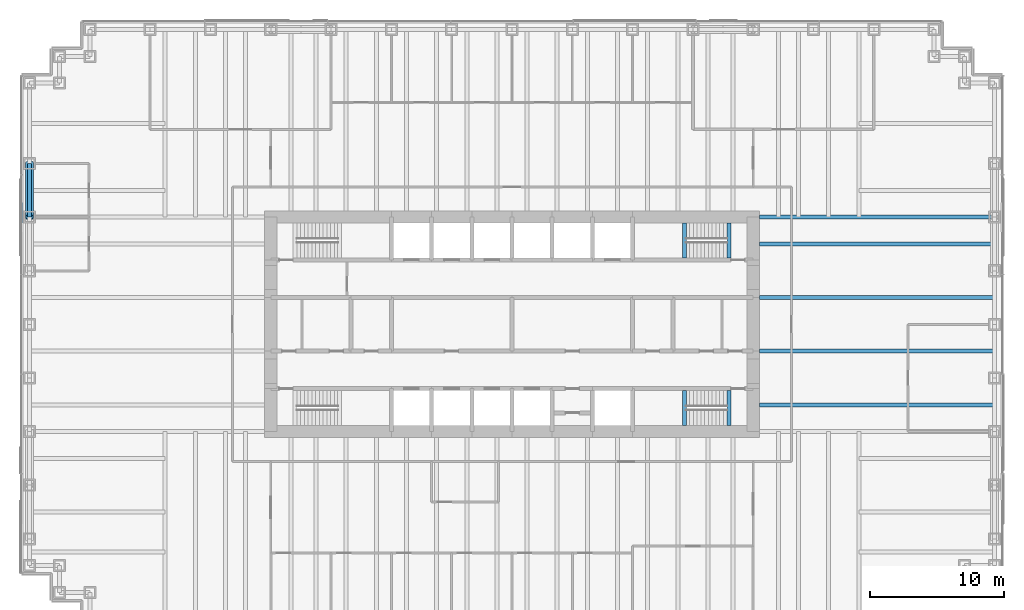
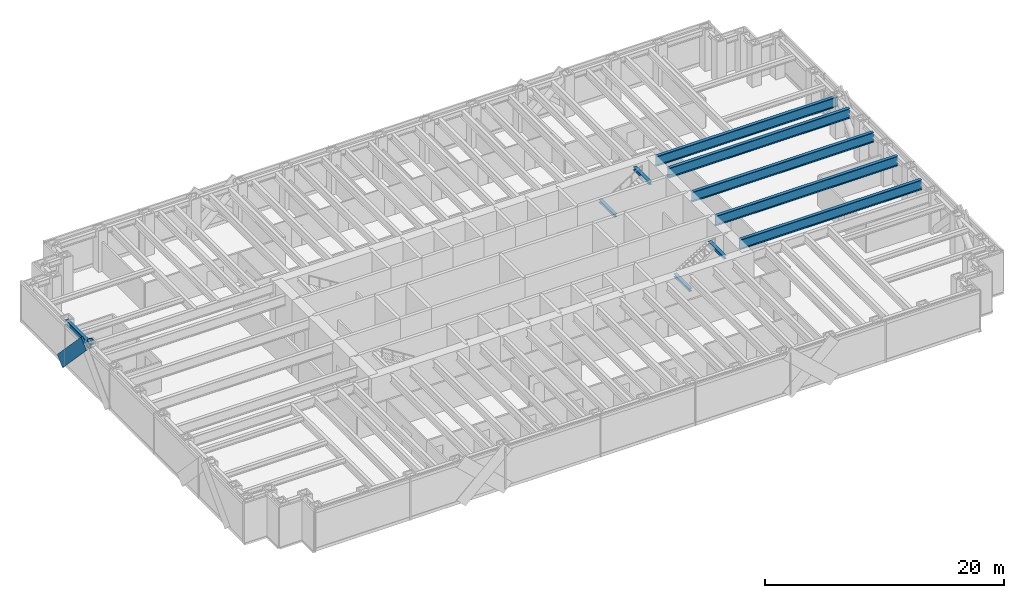
# One storey, part 5 of 15: 10 beams, 2 members, 1 element without a shape of its own.
"""IFC4 building model written with IfcOpenShell, lengths in metres."""

from ifc_helpers import new_model, si_unit, direction, frame, origin, origin_2d, place, context, subcontext, project, spatial, rectangle, hollow_circle, i_section, extrude, material, material_profile, profile_set, type_object, element, aggregate, save


model = new_model("IFC4")

# Units and contexts
model_context = context("Model", 3, precision=1e-05, world=origin(), true_north=direction((0.0, 1.0)))
body_context = subcontext(model_context, "Body", "Model", "MODEL_VIEW")
ifc_project = project(units=[si_unit("LENGTHUNIT", "METRE"), si_unit("AREAUNIT", "SQUARE_METRE"), si_unit("VOLUMEUNIT", "CUBIC_METRE"), si_unit("PLANEANGLEUNIT", "RADIAN"), si_unit("MASSUNIT", "GRAM", prefix="KILO")], contexts=[model_context])

# Site, building, storey
site_placement = place(None, origin())
site = spatial("IfcSite", under=ifc_project, at=site_placement, CompositionType="ELEMENT")
building_placement = place(site_placement, origin())
building = spatial("IfcBuilding", under=site, at=building_placement, Name="Rheinbord Bourse Tower", CompositionType="ELEMENT")
storey_placement = place(building_placement, frame((0.0, 0.0, 108.89990234375)))
storey = spatial("IfcBuildingStorey", under=building, at=storey_placement, Name="L23", CompositionType="ELEMENT", Elevation=108.89990234375)

# Curtain wall, member
ifc_material_1 = material(Name="Dark glass and black aluminium", Category="aluminium")
curtain_wall_type = type_object("IfcCurtainWallType", Name="CW2 DARK GLASS CURTAIN WALL", PredefinedType="USERDEFINED", material=ifc_material_1)
curtain_wall_placement = place(storey_placement, origin())
curtain_wall = element("IfcCurtainWall", 1, at=curtain_wall_placement, inside=storey, type_object=curtain_wall_type, Name="Curtain wall CW2 W L23", ObjectType="UNITISED CURTAIN WALL", PredefinedType="USERDEFINED")
ifc_material_2 = material(Name="Black anodised aluminium", Category="aluminium")
ifc_material_profile_1 = material_profile(ifc_material_2, rectangle(XDim=0.159912109375, YDim=1.2099609375, at=origin_2d()), Name="CW2 DIAGONAL MULLION 1210x160")
ifc_profile_set_1 = profile_set([ifc_material_profile_1], Name="Black anodised aluminium")
member_type_1 = type_object("IfcMemberType", Name="CW2 BLACK DIAGONAL MULLION", PredefinedType="USERDEFINED", material=ifc_profile_set_1)
member_1_placement = place(storey_placement, frame((-0.60009765625, 36.0, 0.0), z_axis=(0.0, -0.689638355374, 0.72415394689), x_axis=(1.0, 0.0, 0.0)))
member_1 = element("IfcMember", 2, at=member_1_placement, type_object=member_type_1, Name="CW2 diagonal mullion c", ObjectType="DIAGONAL MULLION", PredefinedType="USERDEFINED", context=body_context, shape_type="SweptSolid", body=[
    extrude(rectangle(XDim=0.159912109375, YDim=1.2099609375, at=origin_2d()), origin(), (0.0, 0.0, 1.0), 5.800048828125),
])
aggregate(curtain_wall, [member_1])

# Beams
ifc_material_3 = material(Name="Steel S460", Category="steel")
ifc_material_profile_2 = material_profile(ifc_material_3, i_section(OverallWidth=0.302001953125, OverallDepth=1.008056640625, WebThickness=0.02099609375, FlangeThickness=0.0400390625, at=origin_2d()), Name="HEM 1000")
ifc_profile_set_2 = profile_set([ifc_material_profile_2], Name="Steel S460")
beam_type_1 = type_object("IfcBeamType", Name="END BEAM HEM 1000", PredefinedType="BEAM", material=ifc_profile_set_2)
for number, where, z_axis, x_axis, name in (
    (3, (54.449951171875, 18.0, 3.5361328125), (1.0, 0.0, 0.0), (0.0, 1.0, 0.0), "End beam east 18 L24"),
    (4, (54.449951171875, 22.0, 3.5361328125), (1.0, 0.0, 0.0), (0.0, 1.0, 0.0), "End beam east 22 L24"),
    (5, (54.449951171875, 26.0, 3.5361328125), (1.0, 0.0, 0.0), (0.0, 1.0, 0.0), "End beam east 26 L24"),
    (6, (54.449951171875, 30.0, 3.5361328125), (1.0, 0.0, 0.0), (0.0, 1.0, 0.0), "End beam east 30 L24"),
):
    element("IfcBeam", number, at=place(storey_placement, frame(where, z_axis=z_axis, x_axis=x_axis)), inside=storey, type_object=beam_type_1, Name=name, PredefinedType="BEAM", context=body_context, shape_type="SweptSolid", body=[
        extrude(i_section(OverallWidth=0.302001953125, OverallDepth=1.008056640625, WebThickness=0.02099609375, FlangeThickness=0.0400390625, at=origin_2d()), origin(), (0.0, 0.0, 1.0), 17.550048828125),
    ])
ifc_material_4 = material(Name="Steel S460", Category="steel")
ifc_material_profile_3 = material_profile(ifc_material_4, i_section(OverallWidth=0.302001953125, OverallDepth=1.008056640625, WebThickness=0.02099609375, FlangeThickness=0.0400390625, at=origin_2d()), Name="HEM 1000")
ifc_profile_set_3 = profile_set([ifc_material_profile_3], Name="Steel S460")
beam_type_2 = type_object("IfcBeamType", Name="GIRDER HEM 1000", PredefinedType="BEAM", material=ifc_profile_set_3)
beam_1_placement = place(storey_placement, frame((54.449951171875, 32.0, 3.5361328125), z_axis=(1.0, 0.0, 0.0), x_axis=(0.0, 1.0, 0.0)))
element("IfcBeam", 7, at=beam_1_placement, inside=storey, type_object=beam_type_2, Name="Girder east 32 L24", PredefinedType="BEAM", context=body_context, shape_type="SweptSolid", body=[
    extrude(i_section(OverallWidth=0.302001953125, OverallDepth=1.008056640625, WebThickness=0.02099609375, FlangeThickness=0.0400390625, at=origin_2d()), origin(), (0.0, 0.0, 1.0), 17.550048828125),
])
ifc_material_5 = material(Name="Steel S460", Category="steel")
ifc_material_profile_4 = material_profile(ifc_material_5, i_section(OverallWidth=0.300048828125, OverallDepth=0.300048828125, WebThickness=0.010986328125, FlangeThickness=0.01904296875, at=origin_2d()), Name="HEB 300")
ifc_profile_set_4 = profile_set([ifc_material_profile_4], Name="Steel S460")
beam_type_3 = type_object("IfcBeamType", Name="LANDING TRIMMER HEB 300", PredefinedType="BEAM", material=ifc_profile_set_4)
for number, where, z_axis, x_axis, name in (
    (8, (48.8701171875, 16.449951171875, 1.75), (0.0, 1.0, 0.0), (-1.0, 0.0, 0.0), "Landing trimmer ST3 L23"),
    (9, (52.199951171875, 16.449951171875, 3.89013671875), (0.0, 1.0, 0.0), (-1.0, 0.0, 0.0), "Well trimmer ST3 under L24"),
    (10, (48.8701171875, 28.949951171875, 1.75), (0.0, 1.0, 0.0), (-1.0, 0.0, 0.0), "Landing trimmer ST4 L23"),
    (11, (52.199951171875, 28.949951171875, 3.89013671875), (0.0, 1.0, 0.0), (-1.0, 0.0, 0.0), "Well trimmer ST4 under L24"),
):
    element("IfcBeam", number, at=place(storey_placement, frame(where, z_axis=z_axis, x_axis=x_axis)), inside=storey, type_object=beam_type_3, Name=name, PredefinedType="BEAM", context=body_context, shape_type="SweptSolid", body=[
        extrude(i_section(OverallWidth=0.300048828125, OverallDepth=0.300048828125, WebThickness=0.010986328125, FlangeThickness=0.01904296875, at=origin_2d()), origin(), (0.0, 0.0, 1.0), 2.60009765625),
    ])

# Member
ifc_material_6 = material(Name="Steel S460", Category="steel")
ifc_material_profile_5 = material_profile(ifc_material_6, hollow_circle(Radius=0.304931640625, WallThickness=0.0400390625, at=origin_2d()), Name="CHS 610x40")
ifc_profile_set_5 = profile_set([ifc_material_profile_5], Name="Steel S460")
member_type_2 = type_object("IfcMemberType", Name="MEGABRACE CHS 610x40", PredefinedType="BRACE", material=ifc_profile_set_5)
member_2_placement = place(storey_placement, frame((0.0, 36.0, 0.0), z_axis=(0.0, -0.689638355374, 0.72415394689), x_axis=(1.0, 0.0, 0.0)))
element("IfcMember", 12, at=member_2_placement, inside=storey, type_object=member_type_2, Name="Megabrace W face line c L23", PredefinedType="BRACE", context=body_context, shape_type="SweptSolid", body=[
    extrude(hollow_circle(Radius=0.304931640625, WallThickness=0.0400390625, at=origin_2d()), origin(), (0.0, 0.0, 1.0), 5.800048828125),
])

# Beam
ifc_material_7 = material(Name="Steel S460", Category="steel")
ifc_material_profile_6 = material_profile(ifc_material_7, i_section(OverallWidth=0.305908203125, OverallDepth=0.572021484375, WebThickness=0.02099609375, FlangeThickness=0.0400390625, at=origin_2d()), Name="HEM 550")
ifc_profile_set_6 = profile_set([ifc_material_profile_6], Name="Steel S460")
beam_type_4 = type_object("IfcBeamType", Name="SPANDREL HEM 550", PredefinedType="SPANDREL", material=ifc_profile_set_6)
beam_2_placement = place(storey_placement, frame((0.0, 36.0, 3.754150390625), z_axis=(0.0, -1.0, 0.0), x_axis=(1.0, 0.0, 0.0)))
element("IfcBeam", 13, at=beam_2_placement, inside=storey, type_object=beam_type_4, Name="Spandrel W-36-W-32 under L24", PredefinedType="SPANDREL", context=body_context, shape_type="SweptSolid", body=[
    extrude(i_section(OverallWidth=0.305908203125, OverallDepth=0.572021484375, WebThickness=0.02099609375, FlangeThickness=0.0400390625, at=origin_2d()), origin(), (0.0, 0.0, 1.0), 4.0),
])

save(model, "model.ifc")
